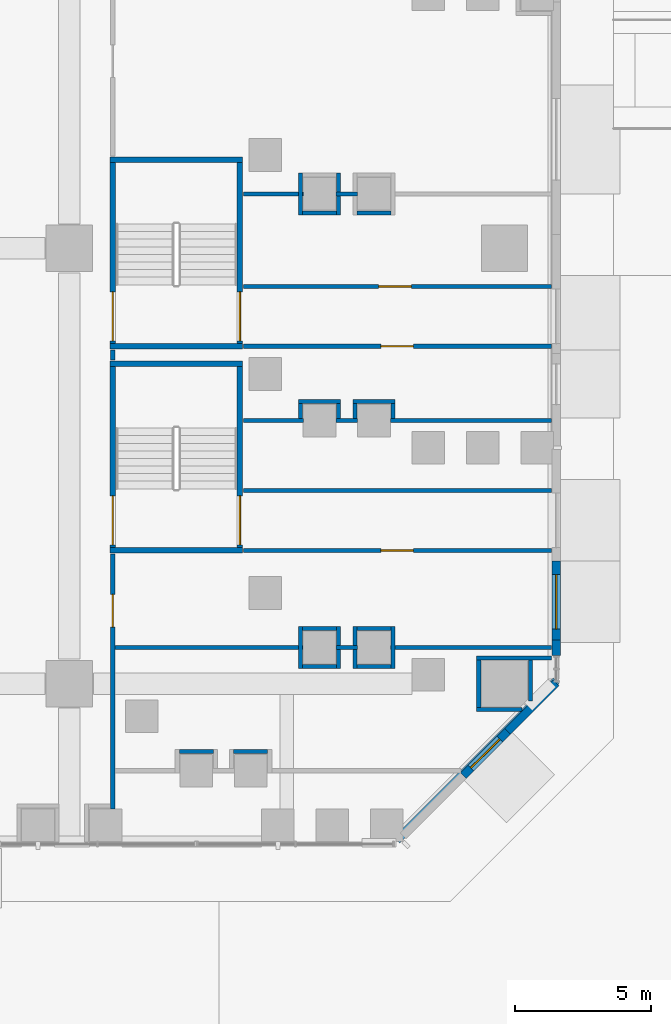
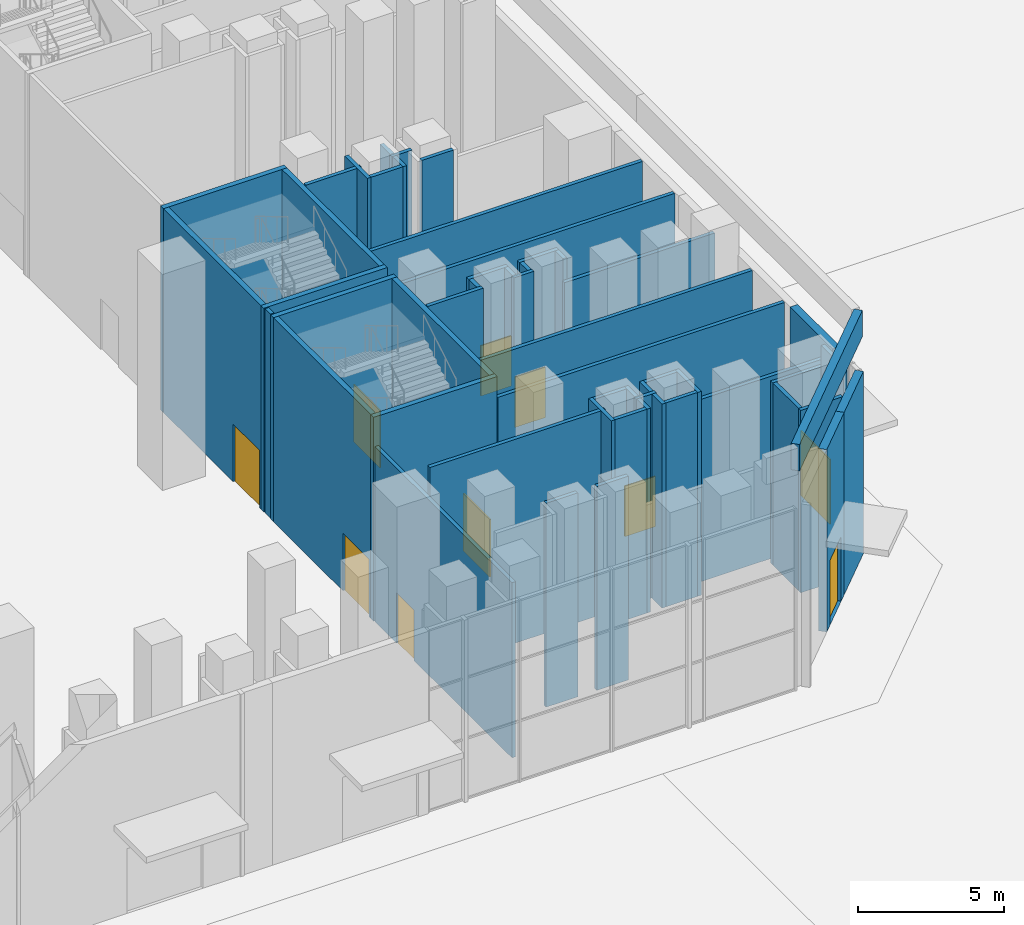
# One storey, part 21 of 51: 51 walls, 10 doors, 10 openings.
"""IFC4 building model written with IfcOpenShell, lengths in metres."""

from ifc_helpers import new_model, si_unit, direction, frame, frame_2d, origin, place, context, subcontext, project, spatial, rectangle, extrude, material, layer, layer_set, type_object, element, fill, save


model = new_model("IFC4")

# Units and contexts
model_context = context("Model", 3, precision=1e-05, world=origin(), true_north=direction((0.0, 1.0)))
body_context = subcontext(model_context, "Body", "Model", "MODEL_VIEW")
ifc_project = project(units=[si_unit("LENGTHUNIT", "METRE"), si_unit("AREAUNIT", "SQUARE_METRE"), si_unit("VOLUMEUNIT", "CUBIC_METRE"), si_unit("PLANEANGLEUNIT", "RADIAN"), si_unit("MASSUNIT", "GRAM", prefix="KILO")], contexts=[model_context])

# Site, building, storey
site_placement = place(None, origin())
site = spatial("IfcSite", under=ifc_project, at=site_placement, CompositionType="ELEMENT")
building_placement = place(site_placement, origin())
building = spatial("IfcBuilding", under=site, at=building_placement, Name="Calabash Gate Tower", CompositionType="ELEMENT")
storey_placement = place(building_placement, origin())
storey = spatial("IfcBuildingStorey", under=building, at=storey_placement, Name="L00", CompositionType="ELEMENT", Elevation=0.0)

# Wall, opening, door
ifc_material_1 = material(Name="Gypsum board on steel studs, mineral wool", Category="steel")
ifc_layer_1 = layer(ifc_material_1, 0.14990234375)
ifc_layer_set_1 = layer_set([ifc_layer_1], Name="Partition 150 gypsum board")
wall_type_1 = type_object("IfcWallType", Name="Partition 150 gypsum board", PredefinedType="PARTITIONING", material=ifc_layer_set_1)
wall_1_placement = place(storey_placement, frame((33.60009765625, -44.60009765625, 0.0), z_axis=(0.0, 0.0, 1.0), x_axis=(0.0, 1.0, 0.0)))
wall_1 = element("IfcWall", 1, at=wall_1_placement, inside=storey, type_object=wall_type_1, Name="Partition", PredefinedType="PARTITIONING", context=body_context, shape_type="SweptSolid", body=[
    extrude(rectangle(XDim=9.360107421875, YDim=0.14990234375, at=frame_2d((4.68017578125, 0.0))), origin(), (0.0, 0.0, 1.0), 7.300048828125),
])
opening_1_placement = place(wall_1_placement, frame((6.679931640625, 0.0, 0.0)))
opening_1 = element("IfcOpeningElement", 2, at=opening_1_placement, cuts=wall_1, Name="Opening L00-097", PredefinedType="OPENING", context=body_context, shape_type="SweptSolid", body=[
    extrude(rectangle(XDim=1.199951171875, YDim=2.10009765625, at=frame_2d((0.60009765625, 1.050048828125))), frame((0.0, 0.0849609375, 0.0), z_axis=(0.0, -1.0, 0.0), x_axis=(1.0, 0.0, 0.0)), (0.0, 0.0, 1.0), 0.169921875),
])
ifc_material_2 = material(Name="Steel fire door set with fire-resisting glazing", Category="steel")
door_type_1 = type_object("IfcDoorType", Name="Fire door D09 1200x2100 FD60", OperationType="NOTDEFINED", PredefinedType="DOOR", material=ifc_material_2)
door_1_placement = place(opening_1_placement, origin())
door_1 = element("IfcDoor", 3, at=door_1_placement, inside=storey, type_object=door_type_1, Name="Shop 11 Pharmacy door", OperationType="SINGLE_SWING_LEFT", OverallHeight=2.10009765625, OverallWidth=1.199951171875, PredefinedType="DOOR", context=body_context, shape_type="SweptSolid", body=[
    extrude(rectangle(XDim=1.199951171875, YDim=2.10009765625, at=frame_2d((0.60009765625, 1.050048828125))), frame((0.0, 0.02490234375, 0.0), z_axis=(0.0, -1.0, 0.0), x_axis=(1.0, 0.0, 0.0)), (0.0, 0.0, 1.0), 0.050048828125),
])
fill(opening_1, door_1)

# Walls
for number, where, z_axis, x_axis, name in (
    (4, (36.0439453125, -42.5, 0.0), (0.0, 0.0, 1.0), (1.0, 0.0, 0.0), "Partition"),
    (5, (38.0439453125, -42.5, 0.0), (0.0, 0.0, 1.0), (1.0, 0.0, 0.0), "Partition"),
):
    element("IfcWall", number, at=place(storey_placement, frame(where, z_axis=z_axis, x_axis=x_axis)), inside=storey, type_object=wall_type_1, Name=name, PredefinedType="PARTITIONING", context=body_context, shape_type="SweptSolid", body=[
        extrude(rectangle(XDim=1.25, YDim=0.14990234375, at=frame_2d((0.625, 0.0))), origin(), (0.0, 0.0, 1.0), 8.5),
    ])
wall_2_placement = place(storey_placement, frame((46.97509765625, -40.949951171875, 0.0), z_axis=(0.0, 0.0, 1.0), x_axis=(1.0, 0.0, 0.0)))
element("IfcWall", 6, at=wall_2_placement, inside=storey, type_object=wall_type_1, Name="Partition", PredefinedType="PARTITIONING", context=body_context, shape_type="SweptSolid", body=[
    extrude(rectangle(XDim=1.670654296875, YDim=0.14990234375, at=frame_2d((0.83544921875, 0.0))), origin(), (0.0, 0.0, 1.0), 7.60009765625),
])
wall_3_placement = place(storey_placement, frame((47.050048828125, -40.875, 0.0), z_axis=(0.0, 0.0, 1.0), x_axis=(0.0, 1.0, 0.0)))
element("IfcWall", 7, at=wall_3_placement, inside=storey, type_object=wall_type_1, Name="Partition", PredefinedType="PARTITIONING", context=body_context, shape_type="SweptSolid", body=[
    extrude(rectangle(XDim=1.75, YDim=0.14990234375, at=frame_2d((0.875, 0.0))), origin(), (0.0, 0.0, 1.0), 7.60009765625),
])
wall_4_placement = place(storey_placement, frame((48.949951171875, -40.645751953125, 0.0), z_axis=(0.0, 0.0, 1.0), x_axis=(0.0, 1.0, 0.0)))
element("IfcWall", 8, at=wall_4_placement, inside=storey, type_object=wall_type_1, Name="Partition", PredefinedType="PARTITIONING", context=body_context, shape_type="SweptSolid", body=[
    extrude(rectangle(XDim=1.520751953125, YDim=0.14990234375, at=frame_2d((0.76025390625, 0.0))), origin(), (0.0, 0.0, 1.0), 8.5),
])
wall_5_placement = place(storey_placement, frame((40.5, -39.444091796875, 0.0), z_axis=(0.0, 0.0, 1.0), x_axis=(0.0, 1.0, 0.0)))
element("IfcWall", 9, at=wall_5_placement, inside=storey, type_object=wall_type_1, Name="Partition", PredefinedType="PARTITIONING", context=body_context, shape_type="SweptSolid", body=[
    extrude(rectangle(XDim=1.550048828125, YDim=0.14990234375, at=frame_2d((0.77490234375, 0.0))), origin(), (0.0, 0.0, 1.0), 8.5),
])
wall_6_placement = place(storey_placement, frame((40.574951171875, -39.368896484375, 0.0), z_axis=(0.0, 0.0, 1.0), x_axis=(1.0, 0.0, 0.0)))
element("IfcWall", 10, at=wall_6_placement, inside=storey, type_object=wall_type_1, Name="Partition", PredefinedType="PARTITIONING", context=body_context, shape_type="SweptSolid", body=[
    extrude(rectangle(XDim=1.25, YDim=0.14990234375, at=frame_2d((0.625, 0.0))), origin(), (0.0, 0.0, 1.0), 8.5),
])
for number, where, z_axis, x_axis, name in (
    (11, (41.89990234375, -39.444091796875, 0.0), (0.0, 0.0, 1.0), (0.0, 1.0, 0.0), "Partition"),
    (12, (42.5, -39.444091796875, 0.0), (0.0, 0.0, 1.0), (0.0, 1.0, 0.0), "Partition"),
):
    element("IfcWall", number, at=place(storey_placement, frame(where, z_axis=z_axis, x_axis=x_axis)), inside=storey, type_object=wall_type_1, Name=name, PredefinedType="PARTITIONING", context=body_context, shape_type="SweptSolid", body=[
        extrude(rectangle(XDim=1.550048828125, YDim=0.14990234375, at=frame_2d((0.77490234375, 0.0))), origin(), (0.0, 0.0, 1.0), 8.5),
    ])
wall_7_placement = place(storey_placement, frame((42.574951171875, -39.368896484375, 0.0), z_axis=(0.0, 0.0, 1.0), x_axis=(1.0, 0.0, 0.0)))
element("IfcWall", 13, at=wall_7_placement, inside=storey, type_object=wall_type_1, Name="Partition", PredefinedType="PARTITIONING", context=body_context, shape_type="SweptSolid", body=[
    extrude(rectangle(XDim=1.25, YDim=0.14990234375, at=frame_2d((0.625, 0.0))), origin(), (0.0, 0.0, 1.0), 8.5),
])
wall_8_placement = place(storey_placement, frame((43.89990234375, -39.444091796875, 0.0), z_axis=(0.0, 0.0, 1.0), x_axis=(0.0, 1.0, 0.0)))
element("IfcWall", 14, at=wall_8_placement, inside=storey, type_object=wall_type_1, Name="Partition", PredefinedType="PARTITIONING", context=body_context, shape_type="SweptSolid", body=[
    extrude(rectangle(XDim=1.550048828125, YDim=0.14990234375, at=frame_2d((0.77490234375, 0.0))), origin(), (0.0, 0.0, 1.0), 8.5),
])
wall_9_placement = place(storey_placement, frame((46.97509765625, -39.050048828125, 0.0), z_axis=(0.0, 0.0, 1.0), x_axis=(1.0, 0.0, 0.0)))
element("IfcWall", 15, at=wall_9_placement, inside=storey, type_object=wall_type_1, Name="Partition", PredefinedType="PARTITIONING", context=body_context, shape_type="SweptSolid", body=[
    extrude(rectangle(XDim=2.744873046875, YDim=0.14990234375, at=frame_2d((1.37255859375, 0.0))), origin(), (0.0, 0.0, 1.0), 7.60009765625),
])
wall_10_placement = place(storey_placement, frame((33.675048828125, -38.669921875, 0.0), z_axis=(0.0, 0.0, 1.0), x_axis=(1.0, 0.0, 0.0)))
element("IfcWall", 16, at=wall_10_placement, inside=storey, type_object=wall_type_1, Name="Partition", PredefinedType="PARTITIONING", context=body_context, shape_type="SweptSolid", body=[
    extrude(rectangle(XDim=6.925048828125, YDim=0.14990234375, at=frame_2d((3.46240234375, 0.0))), origin(), (0.0, 0.0, 1.0), 8.5),
])
wall_11_placement = place(storey_placement, frame((41.800048828125, -38.669921875, 0.0), z_axis=(0.0, 0.0, 1.0), x_axis=(1.0, 0.0, 0.0)))
element("IfcWall", 17, at=wall_11_placement, inside=storey, type_object=wall_type_1, Name="Partition", PredefinedType="PARTITIONING", context=body_context, shape_type="SweptSolid", body=[
    extrude(rectangle(XDim=0.800048828125, YDim=0.14990234375, at=frame_2d((0.39990234375, 0.0))), origin(), (0.0, 0.0, 1.0), 8.5),
])
wall_12_placement = place(storey_placement, frame((43.800048828125, -38.669921875, 0.0), z_axis=(0.0, 0.0, 1.0), x_axis=(1.0, 0.0, 0.0)))
element("IfcWall", 18, at=wall_12_placement, inside=storey, type_object=wall_type_1, Name="Partition", PredefinedType="PARTITIONING", context=body_context, shape_type="SweptSolid", body=[
    extrude(rectangle(XDim=5.919921875, YDim=0.14990234375, at=frame_2d((2.9599609375, 0.0))), origin(), (0.0, 0.0, 1.0), 7.60009765625),
])
for number, where, z_axis, x_axis, name in (
    (19, (40.574951171875, -37.968994140625, 0.0), (0.0, 0.0, 1.0), (1.0, 0.0, 0.0), "Partition"),
    (20, (42.574951171875, -37.968994140625, 0.0), (0.0, 0.0, 1.0), (1.0, 0.0, 0.0), "Partition"),
):
    element("IfcWall", number, at=place(storey_placement, frame(where, z_axis=z_axis, x_axis=x_axis)), inside=storey, type_object=wall_type_1, Name=name, PredefinedType="PARTITIONING", context=body_context, shape_type="SweptSolid", body=[
        extrude(rectangle(XDim=1.25, YDim=0.14990234375, at=frame_2d((0.625, 0.0))), origin(), (0.0, 0.0, 1.0), 8.5),
    ])

# Wall, opening, door
wall_13_placement = place(storey_placement, frame((38.409912109375, -35.1005859375, 0.0), z_axis=(0.0, 0.0, 1.0), x_axis=(1.0, 0.0, 0.0)))
wall_13 = element("IfcWall", 21, at=wall_13_placement, inside=storey, type_object=wall_type_1, Name="Partition", PredefinedType="PARTITIONING", context=body_context, shape_type="SweptSolid", body=[
    extrude(rectangle(XDim=11.31005859375, YDim=0.15087890625, at=frame_2d((5.655029296875, 0.0))), origin(), (0.0, 0.0, 1.0), 7.60009765625),
])
opening_2_placement = place(wall_13_placement, frame((5.0400390625, 0.0, 0.0)))
opening_2 = element("IfcOpeningElement", 22, at=opening_2_placement, cuts=wall_13, Name="Opening L00-098", PredefinedType="OPENING", context=body_context, shape_type="SweptSolid", body=[
    extrude(rectangle(XDim=1.199951171875, YDim=2.10009765625, at=frame_2d((0.60009765625, 1.050048828125))), frame((0.0, 0.08544921875, 0.0), z_axis=(0.0, -1.0, 0.0), x_axis=(1.0, 0.0, 0.0)), (0.0, 0.0, 1.0), 0.1708984375),
])
door_2_placement = place(opening_2_placement, origin())
door_2 = element("IfcDoor", 23, at=door_2_placement, inside=storey, type_object=door_type_1, Name="Shop 12 door", OperationType="SINGLE_SWING_LEFT", OverallHeight=2.10009765625, OverallWidth=1.199951171875, PredefinedType="DOOR", context=body_context, shape_type="SweptSolid", body=[
    extrude(rectangle(XDim=1.199951171875, YDim=2.10009765625, at=frame_2d((0.60009765625, 1.050048828125))), frame((0.0, 0.02490234375, 0.0), z_axis=(0.0, -1.0, 0.0), x_axis=(1.0, 0.0, 0.0)), (0.0, 0.0, 1.0), 0.050048828125),
])
fill(opening_2, door_2)

# Walls
wall_14_placement = place(storey_placement, frame((38.409912109375, -32.89990234375, 0.0), z_axis=(0.0, 0.0, 1.0), x_axis=(1.0, 0.0, 0.0)))
element("IfcWall", 24, at=wall_14_placement, inside=storey, type_object=wall_type_1, Name="Partition", PredefinedType="PARTITIONING", context=body_context, shape_type="SweptSolid", body=[
    extrude(rectangle(XDim=11.31005859375, YDim=0.14990234375, at=frame_2d((5.655029296875, 0.0))), origin(), (0.0, 0.0, 1.0), 7.60009765625),
])
wall_15_placement = place(storey_placement, frame((38.409912109375, -30.330078125, 0.0), z_axis=(0.0, 0.0, 1.0), x_axis=(1.0, 0.0, 0.0)))
element("IfcWall", 25, at=wall_15_placement, inside=storey, type_object=wall_type_1, Name="Partition", PredefinedType="PARTITIONING", context=body_context, shape_type="SweptSolid", body=[
    extrude(rectangle(XDim=2.190185546875, YDim=0.14990234375, at=frame_2d((1.09521484375, 0.0))), origin(), (0.0, 0.0, 1.0), 8.5),
])
wall_16_placement = place(storey_placement, frame((41.800048828125, -30.330078125, 0.0), z_axis=(0.0, 0.0, 1.0), x_axis=(1.0, 0.0, 0.0)))
element("IfcWall", 26, at=wall_16_placement, inside=storey, type_object=wall_type_1, Name="Partition", PredefinedType="PARTITIONING", context=body_context, shape_type="SweptSolid", body=[
    extrude(rectangle(XDim=0.800048828125, YDim=0.14990234375, at=frame_2d((0.39990234375, 0.0))), origin(), (0.0, 0.0, 1.0), 8.5),
])
wall_17_placement = place(storey_placement, frame((43.800048828125, -30.330078125, 0.0), z_axis=(0.0, 0.0, 1.0), x_axis=(1.0, 0.0, 0.0)))
element("IfcWall", 27, at=wall_17_placement, inside=storey, type_object=wall_type_1, Name="Partition", PredefinedType="PARTITIONING", context=body_context, shape_type="SweptSolid", body=[
    extrude(rectangle(XDim=5.919921875, YDim=0.14990234375, at=frame_2d((2.9599609375, 0.0))), origin(), (0.0, 0.0, 1.0), 7.60009765625),
])
for number, where, z_axis, x_axis, name in (
    (28, (40.5, -30.2548828125, 0.0), (0.0, 0.0, 1.0), (0.0, 1.0, 0.0), "Partition"),
    (29, (41.89990234375, -30.2548828125, 0.0), (0.0, 0.0, 1.0), (0.0, 1.0, 0.0), "Partition"),
    (30, (42.5, -30.2548828125, 0.0), (0.0, 0.0, 1.0), (0.0, 1.0, 0.0), "Partition"),
    (31, (43.89990234375, -30.2548828125, 0.0), (0.0, 0.0, 1.0), (0.0, 1.0, 0.0), "Partition"),
):
    element("IfcWall", number, at=place(storey_placement, frame(where, z_axis=z_axis, x_axis=x_axis)), inside=storey, type_object=wall_type_1, Name=name, PredefinedType="PARTITIONING", context=body_context, shape_type="SweptSolid", body=[
        extrude(rectangle(XDim=0.544921875, YDim=0.14990234375, at=frame_2d((0.2724609375, 0.0))), origin(), (0.0, 0.0, 1.0), 8.5),
    ])
for number, where, z_axis, x_axis, name in (
    (32, (40.425048828125, -29.635009765625, 0.0), (0.0, 0.0, 1.0), (1.0, 0.0, 0.0), "Partition"),
    (33, (42.425048828125, -29.635009765625, 0.0), (0.0, 0.0, 1.0), (1.0, 0.0, 0.0), "Partition"),
):
    element("IfcWall", number, at=place(storey_placement, frame(where, z_axis=z_axis, x_axis=x_axis)), inside=storey, type_object=wall_type_1, Name=name, PredefinedType="PARTITIONING", context=body_context, shape_type="SweptSolid", body=[
        extrude(rectangle(XDim=1.550048828125, YDim=0.14990234375, at=frame_2d((0.77490234375, 0.0))), origin(), (0.0, 0.0, 1.0), 8.5),
    ])
wall_18_placement = place(storey_placement, frame((33.60009765625, -28.110107421875, 0.0), z_axis=(0.0, 0.0, 1.0), x_axis=(0.0, 1.0, 0.0)))
element("IfcWall", 34, at=wall_18_placement, inside=storey, type_object=wall_type_1, Name="Partition", PredefinedType="PARTITIONING", context=body_context, shape_type="SweptSolid", body=[
    extrude(rectangle(XDim=0.3701171875, YDim=0.14990234375, at=frame_2d((0.18505859375, 0.0))), origin(), (0.0, 0.0, 1.0), 8.5),
])

# Wall, opening, door
wall_19_placement = place(storey_placement, frame((38.409912109375, -27.6005859375, 0.0), z_axis=(0.0, 0.0, 1.0), x_axis=(1.0, 0.0, 0.0)))
wall_19 = element("IfcWall", 35, at=wall_19_placement, inside=storey, type_object=wall_type_1, Name="Partition", PredefinedType="PARTITIONING", context=body_context, shape_type="SweptSolid", body=[
    extrude(rectangle(XDim=11.31005859375, YDim=0.15087890625, at=frame_2d((5.655029296875, 0.0))), origin(), (0.0, 0.0, 1.0), 7.60009765625),
])
opening_3_placement = place(wall_19_placement, frame((5.0400390625, 0.0, 0.0)))
opening_3 = element("IfcOpeningElement", 36, at=opening_3_placement, cuts=wall_19, Name="Opening L00-099", PredefinedType="OPENING", context=body_context, shape_type="SweptSolid", body=[
    extrude(rectangle(XDim=1.199951171875, YDim=2.10009765625, at=frame_2d((0.60009765625, 1.050048828125))), frame((0.0, 0.08544921875, 0.0), z_axis=(0.0, -1.0, 0.0), x_axis=(1.0, 0.0, 0.0)), (0.0, 0.0, 1.0), 0.1708984375),
])
door_3_placement = place(opening_3_placement, origin())
door_3 = element("IfcDoor", 37, at=door_3_placement, inside=storey, type_object=door_type_1, Name="Shop 13 Cafe door", OperationType="SINGLE_SWING_LEFT", OverallHeight=2.10009765625, OverallWidth=1.199951171875, PredefinedType="DOOR", context=body_context, shape_type="SweptSolid", body=[
    extrude(rectangle(XDim=1.199951171875, YDim=2.10009765625, at=frame_2d((0.60009765625, 1.050048828125))), frame((0.0, 0.02490234375, 0.0), z_axis=(0.0, -1.0, 0.0), x_axis=(1.0, 0.0, 0.0)), (0.0, 0.0, 1.0), 0.050048828125),
])
fill(opening_3, door_3)

wall_20_placement = place(storey_placement, frame((38.409912109375, -25.3994140625, 0.0), z_axis=(0.0, 0.0, 1.0), x_axis=(1.0, 0.0, 0.0)))
wall_20 = element("IfcWall", 38, at=wall_20_placement, inside=storey, type_object=wall_type_1, Name="Partition", PredefinedType="PARTITIONING", context=body_context, shape_type="SweptSolid", body=[
    extrude(rectangle(XDim=11.31005859375, YDim=0.15087890625, at=frame_2d((5.655029296875, 0.0))), origin(), (0.0, 0.0, 1.0), 7.60009765625),
])
opening_4_placement = place(wall_20_placement, frame((4.9609375, 0.0, 0.0)))
opening_4 = element("IfcOpeningElement", 39, at=opening_4_placement, cuts=wall_20, Name="Opening L00-100", PredefinedType="OPENING", context=body_context, shape_type="SweptSolid", body=[
    extrude(rectangle(XDim=1.199951171875, YDim=2.10009765625, at=frame_2d((0.60009765625, 1.050048828125))), frame((0.0, 0.08544921875, 0.0), z_axis=(0.0, -1.0, 0.0), x_axis=(1.0, 0.0, 0.0)), (0.0, 0.0, 1.0), 0.1708984375),
])
ifc_material_3 = material(Name="Painted timber door", Category="wood")
door_type_2 = type_object("IfcDoorType", Name="Door D19 1200x2100", OperationType="NOTDEFINED", PredefinedType="DOOR", material=ifc_material_3)
door_4_placement = place(opening_4_placement, origin())
door_4 = element("IfcDoor", 40, at=door_4_placement, inside=storey, type_object=door_type_2, Name="Shop 13 Cafe door", OperationType="SINGLE_SWING_LEFT", OverallHeight=2.10009765625, OverallWidth=1.199951171875, PredefinedType="DOOR", context=body_context, shape_type="SweptSolid", body=[
    extrude(rectangle(XDim=1.199951171875, YDim=2.10009765625, at=frame_2d((0.60009765625, 1.050048828125))), frame((0.0, 0.02490234375, 0.0), z_axis=(0.0, -1.0, 0.0), x_axis=(1.0, 0.0, 0.0)), (0.0, 0.0, 1.0), 0.050048828125),
])
fill(opening_4, door_4)

# Walls
wall_21_placement = place(storey_placement, frame((40.5, -22.77587890625, 0.0), z_axis=(0.0, 0.0, 1.0), x_axis=(0.0, 1.0, 0.0)))
element("IfcWall", 41, at=wall_21_placement, inside=storey, type_object=wall_type_1, Name="Partition", PredefinedType="PARTITIONING", context=body_context, shape_type="SweptSolid", body=[
    extrude(rectangle(XDim=1.5498046875, YDim=0.14990234375, at=frame_2d((0.77490234375, 0.0))), origin(), (0.0, 0.0, 1.0), 8.5),
])
wall_22_placement = place(storey_placement, frame((40.574951171875, -22.700927734375, 0.0), z_axis=(0.0, 0.0, 1.0), x_axis=(1.0, 0.0, 0.0)))
element("IfcWall", 42, at=wall_22_placement, inside=storey, type_object=wall_type_1, Name="Partition", PredefinedType="PARTITIONING", context=body_context, shape_type="SweptSolid", body=[
    extrude(rectangle(XDim=1.25, YDim=0.14990234375, at=frame_2d((0.625, 0.0))), origin(), (0.0, 0.0, 1.0), 8.5),
])
wall_23_placement = place(storey_placement, frame((41.89990234375, -22.77587890625, 0.0), z_axis=(0.0, 0.0, 1.0), x_axis=(0.0, 1.0, 0.0)))
element("IfcWall", 43, at=wall_23_placement, inside=storey, type_object=wall_type_1, Name="Partition", PredefinedType="PARTITIONING", context=body_context, shape_type="SweptSolid", body=[
    extrude(rectangle(XDim=1.5498046875, YDim=0.14990234375, at=frame_2d((0.77490234375, 0.0))), origin(), (0.0, 0.0, 1.0), 8.5),
])
wall_24_placement = place(storey_placement, frame((42.574951171875, -22.700927734375, 0.0), z_axis=(0.0, 0.0, 1.0), x_axis=(1.0, 0.0, 0.0)))
element("IfcWall", 44, at=wall_24_placement, inside=storey, type_object=wall_type_1, Name="Partition", PredefinedType="PARTITIONING", context=body_context, shape_type="SweptSolid", body=[
    extrude(rectangle(XDim=1.25, YDim=0.14990234375, at=frame_2d((0.625, 0.0))), origin(), (0.0, 0.0, 1.0), 8.5),
])
wall_25_placement = place(storey_placement, frame((38.409912109375, -22.0, 0.0), z_axis=(0.0, 0.0, 1.0), x_axis=(1.0, 0.0, 0.0)))
element("IfcWall", 45, at=wall_25_placement, inside=storey, type_object=wall_type_1, Name="Partition", PredefinedType="PARTITIONING", context=body_context, shape_type="SweptSolid", body=[
    extrude(rectangle(XDim=2.190185546875, YDim=0.14990234375, at=frame_2d((1.09521484375, 0.0))), origin(), (0.0, 0.0, 1.0), 8.5),
])
wall_26_placement = place(storey_placement, frame((41.800048828125, -22.0, 0.0), z_axis=(0.0, 0.0, 1.0), x_axis=(1.0, 0.0, 0.0)))
element("IfcWall", 46, at=wall_26_placement, inside=storey, type_object=wall_type_1, Name="Partition", PredefinedType="PARTITIONING", context=body_context, shape_type="SweptSolid", body=[
    extrude(rectangle(XDim=0.800048828125, YDim=0.14990234375, at=frame_2d((0.39990234375, 0.0))), origin(), (0.0, 0.0, 1.0), 8.5),
])
ifc_material_4 = material(Name="Terracotta brick masonry, exposed face", Category="masonry")
ifc_layer_2 = layer(ifc_material_4, 0.300048828125)
ifc_layer_set_2 = layer_set([ifc_layer_2], Name="Podium brick wall 300")
wall_type_2 = type_object("IfcWallType", Name="Podium brick wall 300", PredefinedType="SOLIDWALL", material=ifc_layer_set_2)
wall_27_placement = place(storey_placement, frame((48.103515625, -41.755126953125, 0.0), z_axis=(0.0, 0.0, 1.0), x_axis=(0.707106781187, 0.707106781187, 0.0)))
element("IfcWall", 47, at=wall_27_placement, inside=storey, type_object=wall_type_2, Name="Podium brick wall L00 1.1.0", PredefinedType="SOLIDWALL", context=body_context, shape_type="SweptSolid", body=[
    extrude(rectangle(XDim=2.5322265625, YDim=0.300048828125, at=frame_2d((1.26611328125, 0.0))), origin(), (0.0, 0.0, 1.0), 7.60009765625),
])
wall_28_placement = place(storey_placement, frame((49.89990234375, -38.969970703125, 0.0), z_axis=(0.0, 0.0, 1.0), x_axis=(0.0, 1.0, 0.0)))
element("IfcWall", 48, at=wall_28_placement, inside=storey, type_object=wall_type_2, Name="Podium brick pier L00 2.0.p3", PredefinedType="SOLIDWALL", context=body_context, shape_type="SweptSolid", body=[
    extrude(rectangle(XDim=0.573974609375, YDim=0.300048828125, at=frame_2d((0.287109375, 0.0))), origin(), (0.0, 0.0, 1.0), 7.60009765625),
])

# Wall, opening, door
ifc_material_5 = material(Name="Aluminium framed entrance wall with insulated spandrel", Category="aluminium")
ifc_layer_3 = layer(ifc_material_5, 0.300048828125)
ifc_layer_set_3 = layer_set([ifc_layer_3], Name="Podium entrance wall 300")
wall_type_3 = type_object("IfcWallType", Name="Podium entrance wall 300", PredefinedType="ELEMENTEDWALL", material=ifc_layer_set_3)
wall_29_placement = place(storey_placement, frame((46.47705078125, -43.38134765625, 0.0), z_axis=(0.0, 0.0, 1.0), x_axis=(0.707159853336, 0.707053705054, 0.0)))
wall_29 = element("IfcWall", 49, at=wall_29_placement, inside=storey, type_object=wall_type_3, Name="Entrance door wall L00", PredefinedType="ELEMENTEDWALL", context=body_context, shape_type="SweptSolid", body=[
    extrude(rectangle(XDim=2.300048828125, YDim=0.300048828125, at=frame_2d((1.14990234375, 0.0))), origin(), (0.0, 0.0, 1.0), 7.60009765625),
])
opening_5_placement = place(wall_29_placement, frame((0.39990234375, 0.0, 0.0)))
opening_5 = element("IfcOpeningElement", 50, at=opening_5_placement, cuts=wall_29, Name="Opening L00-005", PredefinedType="OPENING", context=body_context, shape_type="SweptSolid", body=[
    extrude(rectangle(XDim=1.5, YDim=2.699951171875, at=frame_2d((0.75, 1.35009765625))), frame((0.0, 0.159912109375, 0.0), z_axis=(0.0, -1.0, 0.0), x_axis=(1.0, 0.0, 0.0)), (0.0, 0.0, 1.0), 0.320068359375),
])
ifc_material_6 = material(Name="Anodised aluminium frame, bronze finish, impact-rated laminated clear glazing", Category="aluminium")
door_type_3 = type_object("IfcDoorType", Name="Podium door DE150 1500x2700", OperationType="DOUBLE_DOOR_SINGLE_SWING", PredefinedType="DOOR", material=ifc_material_6)
door_5_placement = place(opening_5_placement, origin())
door_5 = element("IfcDoor", 51, at=door_5_placement, inside=storey, type_object=door_type_3, Name="Entrance door L00", OperationType="DOUBLE_DOOR_SINGLE_SWING", OverallHeight=2.699951171875, OverallWidth=1.5, PredefinedType="DOOR", context=body_context, shape_type="SweptSolid", body=[
    extrude(rectangle(XDim=1.5, YDim=2.699951171875, at=frame_2d((0.75, 1.35009765625))), frame((0.0, 0.02490234375, 0.0), z_axis=(0.0, -1.0, 0.0), x_axis=(1.0, 0.0, 0.0)), (0.0, 0.0, 1.0), 0.050048828125),
])
fill(opening_5, door_5)

wall_30_placement = place(storey_placement, frame((49.89990234375, -38.39599609375, 0.0), z_axis=(0.0, 0.0, 1.0), x_axis=(0.0, 1.0, 0.0)))
wall_30 = element("IfcWall", 52, at=wall_30_placement, inside=storey, type_object=wall_type_3, Name="Entrance door wall L00", PredefinedType="ELEMENTEDWALL", context=body_context, shape_type="SweptSolid", body=[
    extrude(rectangle(XDim=2.89794921875, YDim=0.300048828125, at=frame_2d((1.448974609375, 0.0))), origin(), (0.0, 0.0, 1.0), 7.60009765625),
])
opening_6_placement = place(wall_30_placement, frame((0.39990234375, 0.0, 0.0)))
opening_6 = element("IfcOpeningElement", 53, at=opening_6_placement, cuts=wall_30, Name="Opening L00-006", PredefinedType="OPENING", context=body_context, shape_type="SweptSolid", body=[
    extrude(rectangle(XDim=2.0, YDim=2.699951171875, at=frame_2d((1.0, 1.35009765625))), frame((0.0, 0.159912109375, 0.0), z_axis=(0.0, -1.0, 0.0), x_axis=(1.0, 0.0, 0.0)), (0.0, 0.0, 1.0), 0.320068359375),
])
ifc_material_7 = material(Name="Anodised aluminium frame, bronze finish, impact-rated laminated clear glazing", Category="aluminium")
door_type_4 = type_object("IfcDoorType", Name="Podium door DE200 2000x2700", OperationType="DOUBLE_DOOR_SINGLE_SWING", PredefinedType="DOOR", material=ifc_material_7)
door_6_placement = place(opening_6_placement, origin())
door_6 = element("IfcDoor", 54, at=door_6_placement, inside=storey, type_object=door_type_4, Name="Entrance door L00", OperationType="DOUBLE_DOOR_SINGLE_SWING", OverallHeight=2.699951171875, OverallWidth=2.0, PredefinedType="DOOR", context=body_context, shape_type="SweptSolid", body=[
    extrude(rectangle(XDim=2.0, YDim=2.699951171875, at=frame_2d((1.0, 1.35009765625))), frame((0.0, 0.02490234375, 0.0), z_axis=(0.0, -1.0, 0.0), x_axis=(1.0, 0.0, 0.0)), (0.0, 0.0, 1.0), 0.050048828125),
])
fill(opening_6, door_6)

# Walls
ifc_material_8 = material(Name="Terracotta brick masonry, exposed face", Category="masonry")
ifc_layer_4 = layer(ifc_material_8, 0.300048828125)
ifc_layer_set_4 = layer_set([ifc_layer_4], Name="Podium parapet wall 300")
wall_type_4 = type_object("IfcWallType", Name="Podium parapet wall 300", PredefinedType="PARAPET", material=ifc_layer_set_4)
wall_31_placement = place(storey_placement, frame((44.04248046875, -45.745361328125, 9.0), z_axis=(0.0, 0.0, 1.0), x_axis=(0.7071215324, 0.707092029666, 0.0)))
element("IfcWall", 55, at=wall_31_placement, inside=storey, type_object=wall_type_4, Name="Podium parapet L00 1.0.0", PredefinedType="PARAPET", context=body_context, shape_type="SweptSolid", body=[
    extrude(rectangle(XDim=8.275146484375, YDim=0.300048828125, at=frame_2d((4.1376953125, 0.0))), origin(), (0.0, 0.0, 1.0), 1.10009765625),
])
ifc_material_9 = material(Name="Concrete C40/50", Category="concrete")
ifc_layer_5 = layer(ifc_material_9, 0.199951171875)
ifc_layer_set_5 = layer_set([ifc_layer_5], Name="Stair wall 200 Concrete C40/50")
wall_type_5 = type_object("IfcWallType", Name="Stair wall 200 Concrete C40/50", PredefinedType="SOLIDWALL", material=ifc_layer_set_5)
for number, where, z_axis, x_axis, name in (
    (56, (33.5, -35.10009765625, 0.0), (0.0, 0.0, 1.0), (1.0, 0.0, 0.0), "Stair wall"),
    (57, (33.5, -28.25, 0.0), (0.0, 0.0, 1.0), (1.0, 0.0, 0.0), "Stair wall"),
):
    element("IfcWall", number, at=place(storey_placement, frame(where, z_axis=z_axis, x_axis=x_axis)), inside=storey, type_object=wall_type_5, Name=name, PredefinedType="SOLIDWALL", context=body_context, shape_type="SweptSolid", body=[
        extrude(rectangle(XDim=4.8701171875, YDim=0.199951171875, at=frame_2d((2.43505859375, 0.0))), origin(), (0.0, 0.0, 1.0), 8.5),
    ])

# Wall, opening, door
wall_32_placement = place(storey_placement, frame((33.60009765625, -35.0, 0.0), z_axis=(0.0, 0.0, 1.0), x_axis=(0.0, 1.0, 0.0)))
wall_32 = element("IfcWall", 58, at=wall_32_placement, inside=storey, type_object=wall_type_5, Name="Stair wall", PredefinedType="SOLIDWALL", context=body_context, shape_type="SweptSolid", body=[
    extrude(rectangle(XDim=6.64990234375, YDim=0.199951171875, at=frame_2d((3.324951171875, 0.0))), origin(), (0.0, 0.0, 1.0), 8.5),
])
opening_7_placement = place(wall_32_placement, frame((0.10009765625, 0.0, 0.0)))
opening_7 = element("IfcOpeningElement", 59, at=opening_7_placement, cuts=wall_32, Name="Opening L00-060", PredefinedType="OPENING", context=body_context, shape_type="SweptSolid", body=[
    extrude(rectangle(XDim=1.800048828125, YDim=2.39990234375, at=frame_2d((0.89990234375, 1.199951171875))), frame((0.0, 0.10986328125, 0.0), z_axis=(0.0, -1.0, 0.0), x_axis=(1.0, 0.0, 0.0)), (0.0, 0.0, 1.0), 0.219970703125),
])
ifc_material_10 = material(Name="Steel fire door set with fire-resisting glazing", Category="steel")
door_type_5 = type_object("IfcDoorType", Name="Double fire door D16 1800x2400 FD90", OperationType="DOUBLE_DOOR_SINGLE_SWING", PredefinedType="DOOR", material=ifc_material_10)
door_7_placement = place(opening_7_placement, origin())
door_7 = element("IfcDoor", 60, at=door_7_placement, inside=storey, type_object=door_type_5, Name="Exit stair door PS6", OperationType="DOUBLE_DOOR_SINGLE_SWING", OverallHeight=2.39990234375, OverallWidth=1.800048828125, PredefinedType="DOOR", context=body_context, shape_type="SweptSolid", body=[
    extrude(rectangle(XDim=1.800048828125, YDim=2.39990234375, at=frame_2d((0.89990234375, 1.199951171875))), frame((0.0, 0.02490234375, 0.0), z_axis=(0.0, -1.0, 0.0), x_axis=(1.0, 0.0, 0.0)), (0.0, 0.0, 1.0), 0.050048828125),
])
fill(opening_7, door_7)

wall_33_placement = place(storey_placement, frame((38.27001953125, -35.0, 0.0), z_axis=(0.0, 0.0, 1.0), x_axis=(0.0, 1.0, 0.0)))
wall_33 = element("IfcWall", 61, at=wall_33_placement, inside=storey, type_object=wall_type_5, Name="Stair wall", PredefinedType="SOLIDWALL", context=body_context, shape_type="SweptSolid", body=[
    extrude(rectangle(XDim=6.64990234375, YDim=0.199951171875, at=frame_2d((3.324951171875, 0.0))), origin(), (0.0, 0.0, 1.0), 8.5),
])
opening_8_placement = place(wall_33_placement, frame((0.10009765625, 0.0, 0.0)))
opening_8 = element("IfcOpeningElement", 62, at=opening_8_placement, cuts=wall_33, Name="Opening L00-061", PredefinedType="OPENING", context=body_context, shape_type="SweptSolid", body=[
    extrude(rectangle(XDim=1.800048828125, YDim=2.39990234375, at=frame_2d((0.89990234375, 1.199951171875))), frame((0.0, 0.10986328125, 0.0), z_axis=(0.0, -1.0, 0.0), x_axis=(1.0, 0.0, 0.0)), (0.0, 0.0, 1.0), 0.219970703125),
])
door_8_placement = place(opening_8_placement, origin())
door_8 = element("IfcDoor", 63, at=door_8_placement, inside=storey, type_object=door_type_5, Name="Exit stair door PS6", OperationType="DOUBLE_DOOR_SINGLE_SWING", OverallHeight=2.39990234375, OverallWidth=1.800048828125, PredefinedType="DOOR", context=body_context, shape_type="SweptSolid", body=[
    extrude(rectangle(XDim=1.800048828125, YDim=2.39990234375, at=frame_2d((0.89990234375, 1.199951171875))), frame((0.0, 0.02490234375, 0.0), z_axis=(0.0, -1.0, 0.0), x_axis=(1.0, 0.0, 0.0)), (0.0, 0.0, 1.0), 0.050048828125),
])
fill(opening_8, door_8)

# Walls
for number, where, z_axis, x_axis, name in (
    (64, (33.5, -27.60009765625, 0.0), (0.0, 0.0, 1.0), (1.0, 0.0, 0.0), "Stair wall"),
    (65, (33.5, -20.75, 0.0), (0.0, 0.0, 1.0), (1.0, 0.0, 0.0), "Stair wall"),
):
    element("IfcWall", number, at=place(storey_placement, frame(where, z_axis=z_axis, x_axis=x_axis)), inside=storey, type_object=wall_type_5, Name=name, PredefinedType="SOLIDWALL", context=body_context, shape_type="SweptSolid", body=[
        extrude(rectangle(XDim=4.8701171875, YDim=0.199951171875, at=frame_2d((2.43505859375, 0.0))), origin(), (0.0, 0.0, 1.0), 8.5),
    ])

# Wall, opening, door
wall_34_placement = place(storey_placement, frame((33.60009765625, -27.5, 0.0), z_axis=(0.0, 0.0, 1.0), x_axis=(0.0, 1.0, 0.0)))
wall_34 = element("IfcWall", 66, at=wall_34_placement, inside=storey, type_object=wall_type_5, Name="Stair wall", PredefinedType="SOLIDWALL", context=body_context, shape_type="SweptSolid", body=[
    extrude(rectangle(XDim=6.64990234375, YDim=0.199951171875, at=frame_2d((3.324951171875, 0.0))), origin(), (0.0, 0.0, 1.0), 8.5),
])
opening_9_placement = place(wall_34_placement, frame((0.10009765625, 0.0, 0.0)))
opening_9 = element("IfcOpeningElement", 67, at=opening_9_placement, cuts=wall_34, Name="Opening L00-062", PredefinedType="OPENING", context=body_context, shape_type="SweptSolid", body=[
    extrude(rectangle(XDim=1.800048828125, YDim=2.39990234375, at=frame_2d((0.89990234375, 1.199951171875))), frame((0.0, 0.10986328125, 0.0), z_axis=(0.0, -1.0, 0.0), x_axis=(1.0, 0.0, 0.0)), (0.0, 0.0, 1.0), 0.219970703125),
])
door_9_placement = place(opening_9_placement, origin())
door_9 = element("IfcDoor", 68, at=door_9_placement, inside=storey, type_object=door_type_5, Name="Exit stair door PS7", OperationType="DOUBLE_DOOR_SINGLE_SWING", OverallHeight=2.39990234375, OverallWidth=1.800048828125, PredefinedType="DOOR", context=body_context, shape_type="SweptSolid", body=[
    extrude(rectangle(XDim=1.800048828125, YDim=2.39990234375, at=frame_2d((0.89990234375, 1.199951171875))), frame((0.0, 0.02490234375, 0.0), z_axis=(0.0, -1.0, 0.0), x_axis=(1.0, 0.0, 0.0)), (0.0, 0.0, 1.0), 0.050048828125),
])
fill(opening_9, door_9)

wall_35_placement = place(storey_placement, frame((38.27001953125, -27.5, 0.0), z_axis=(0.0, 0.0, 1.0), x_axis=(0.0, 1.0, 0.0)))
wall_35 = element("IfcWall", 69, at=wall_35_placement, inside=storey, type_object=wall_type_5, Name="Stair wall", PredefinedType="SOLIDWALL", context=body_context, shape_type="SweptSolid", body=[
    extrude(rectangle(XDim=6.64990234375, YDim=0.199951171875, at=frame_2d((3.324951171875, 0.0))), origin(), (0.0, 0.0, 1.0), 8.5),
])
opening_10_placement = place(wall_35_placement, frame((0.10009765625, 0.0, 0.0)))
opening_10 = element("IfcOpeningElement", 70, at=opening_10_placement, cuts=wall_35, Name="Opening L00-063", PredefinedType="OPENING", context=body_context, shape_type="SweptSolid", body=[
    extrude(rectangle(XDim=1.800048828125, YDim=2.39990234375, at=frame_2d((0.89990234375, 1.199951171875))), frame((0.0, 0.10986328125, 0.0), z_axis=(0.0, -1.0, 0.0), x_axis=(1.0, 0.0, 0.0)), (0.0, 0.0, 1.0), 0.219970703125),
])
door_10_placement = place(opening_10_placement, origin())
door_10 = element("IfcDoor", 71, at=door_10_placement, inside=storey, type_object=door_type_5, Name="Exit stair door PS7", OperationType="DOUBLE_DOOR_SINGLE_SWING", OverallHeight=2.39990234375, OverallWidth=1.800048828125, PredefinedType="DOOR", context=body_context, shape_type="SweptSolid", body=[
    extrude(rectangle(XDim=1.800048828125, YDim=2.39990234375, at=frame_2d((0.89990234375, 1.199951171875))), frame((0.0, 0.02490234375, 0.0), z_axis=(0.0, -1.0, 0.0), x_axis=(1.0, 0.0, 0.0)), (0.0, 0.0, 1.0), 0.050048828125),
])
fill(opening_10, door_10)

save(model, "model.ifc")
